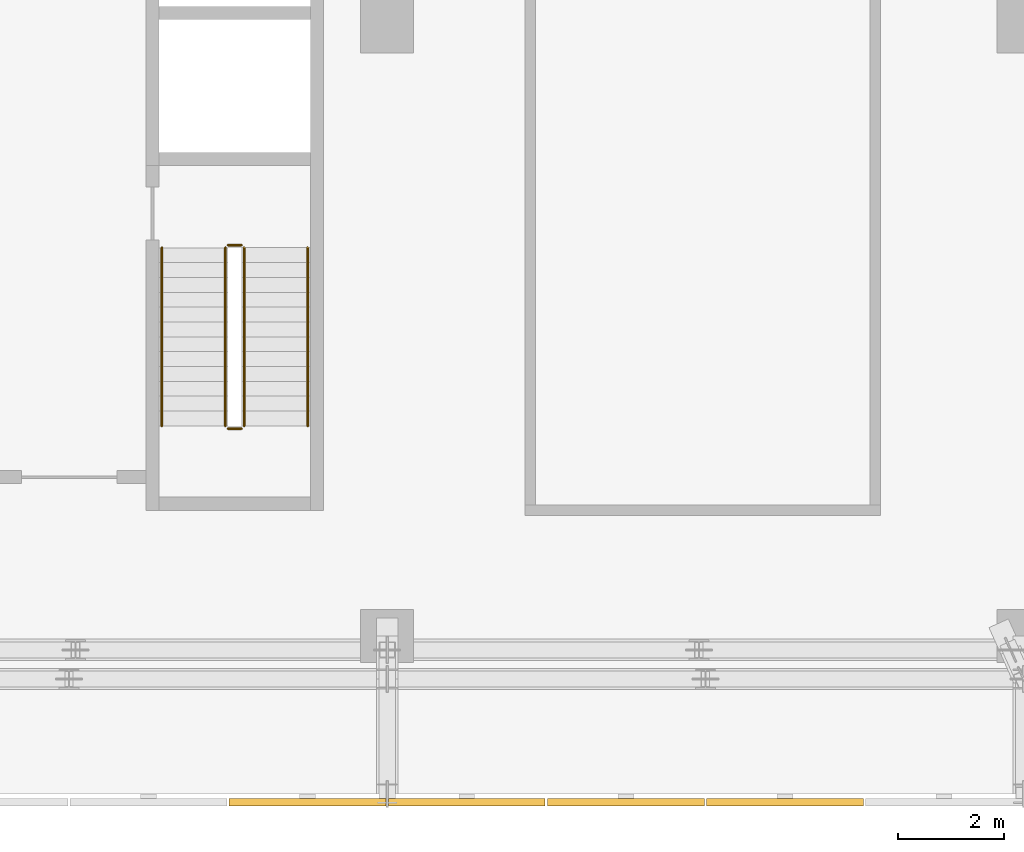
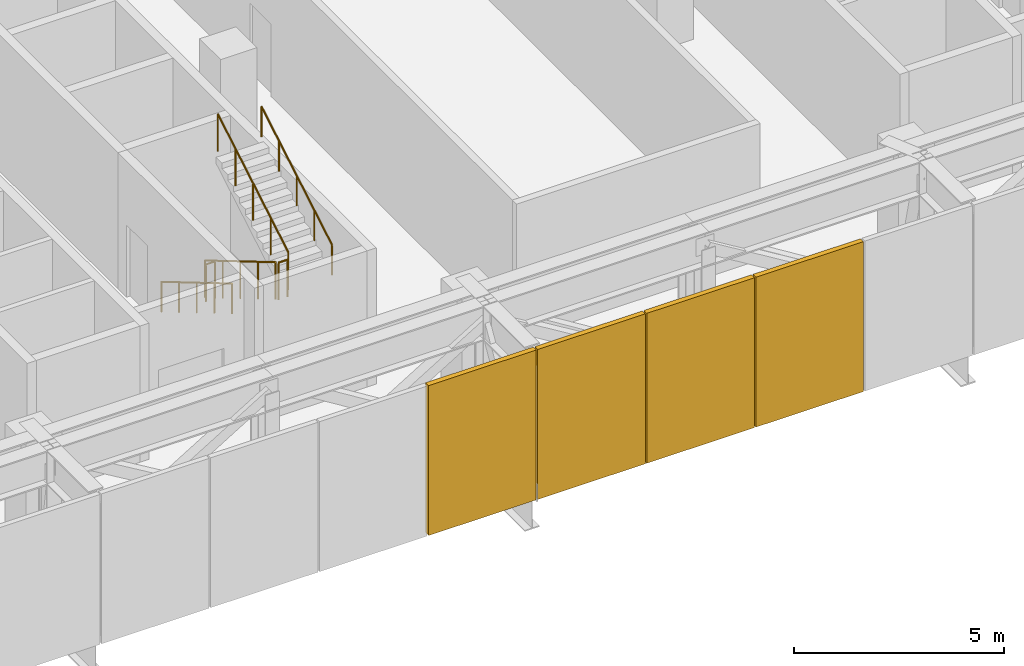
# One storey, part 26 of 29: 6 railings, 4 coverings.
"""IFC4 building model written with IfcOpenShell, lengths in metres."""

from ifc_helpers import new_model, si_unit, direction, frame, origin, origin_2d, place, context, subcontext, project, spatial, rectangle, circle, extrude, material, type_object, element, save


model = new_model("IFC4")

# Units and contexts
model_context = context("Model", 3, precision=1e-05, world=origin(), true_north=direction((0.0, 1.0)))
body_context = subcontext(model_context, "Body", "Model", "MODEL_VIEW")
ifc_project = project(units=[si_unit("LENGTHUNIT", "METRE"), si_unit("AREAUNIT", "SQUARE_METRE"), si_unit("VOLUMEUNIT", "CUBIC_METRE"), si_unit("PLANEANGLEUNIT", "RADIAN"), si_unit("MASSUNIT", "GRAM", prefix="KILO")], contexts=[model_context])

# Site, building, storey
site_placement = place(None, origin())
site = spatial("IfcSite", under=ifc_project, at=site_placement, CompositionType="ELEMENT")
building_placement = place(site_placement, origin())
building = spatial("IfcBuilding", under=site, at=building_placement, Name="Mahtab Terrace Research Tower", CompositionType="ELEMENT")
storey_placement = place(building_placement, frame((0.0, 0.0, 259.0)))
storey = spatial("IfcBuildingStorey", under=building, at=storey_placement, Name="L63", CompositionType="ELEMENT", Elevation=259.0)

# Coverings
ifc_material_1 = material(Name="Natural anodised aluminium", Category="aluminium")
covering_type = type_object("IfcCoveringType", Name="Plant storey louvre bay", PredefinedType="CLADDING", material=ifc_material_1)
for number, where, z_axis, x_axis, name in (
    (1, (4.5, -14.633056640625, -0.39990234375), (0.0, 0.0, 1.0), (1.0, 0.0, 0.0), "Louvre bay L63 15"),
    (2, (7.5, -14.633056640625, -0.39990234375), (0.0, 0.0, 1.0), (1.0, 0.0, 0.0), "Louvre bay L63 16"),
    (3, (10.5, -14.633056640625, -0.39990234375), (0.0, 0.0, 1.0), (1.0, 0.0, 0.0), "Louvre bay L63 17"),
    (4, (13.5, -14.633056640625, -0.39990234375), (0.0, 0.0, 1.0), (1.0, 0.0, 0.0), "Louvre bay L63 18"),
):
    element("IfcCovering", number, at=place(storey_placement, frame(where, z_axis=z_axis, x_axis=x_axis)), inside=storey, type_object=covering_type, Name=name, PredefinedType="CLADDING", context=body_context, shape_type="SweptSolid", body=[
        extrude(rectangle(XDim=2.9599609375, YDim=0.139892578125, at=origin_2d()), origin(), (0.0, 0.0, 1.0), 4.360107421875),
    ])

# Railings
ifc_material_2 = material(Name="Stainless steel AISI 304", Category="steel")
railing_type_1 = type_object("IfcRailingType", Name="Stair guard 1100", PredefinedType="GUARDRAIL", material=ifc_material_2)
railing_1_placement = place(storey_placement, frame((2.949951171875, -4.175048828125, 0.165283203125)))
element("IfcRailing", 5, at=railing_1_placement, inside=storey, type_object=railing_type_1, Name="L63 ST2 stair guard 1", PredefinedType="GUARDRAIL", context=body_context, shape_type="SweptSolid", body=[
    extrude(circle(Radius=0.02392578125, at=origin_2d()), frame((0.0, 0.0, 1.076171875), z_axis=(0.0, -0.861011212953, 0.508585972249), x_axis=(1.0, 0.0, 0.0)), (0.0, 0.0, 1.0), 3.90234375),
    extrude(circle(Radius=0.02099609375, at=origin_2d()), origin(), (0.0, 0.0, 1.0), 1.052001953125),
    extrude(circle(Radius=0.02099609375, at=origin_2d()), frame((0.0, -0.83984375, 0.49609375)), (0.0, 0.0, 1.0), 1.052001953125),
    extrude(circle(Radius=0.02099609375, at=origin_2d()), frame((0.0, -1.679931640625, 0.9921875)), (0.0, 0.0, 1.0), 1.052001953125),
    extrude(circle(Radius=0.02099609375, at=origin_2d()), frame((0.0, -2.52001953125, 1.488525390625)), (0.0, 0.0, 1.0), 1.052001953125),
    extrude(circle(Radius=0.02099609375, at=origin_2d()), frame((0.0, -3.35986328125, 1.984619140625)), (0.0, 0.0, 1.0), 1.052001953125),
])
railing_2_placement = place(storey_placement, frame((3.0, -7.5849609375, 2.14990234375)))
element("IfcRailing", 6, at=railing_2_placement, inside=storey, type_object=railing_type_1, Name="L63 ST2 stair guard 2", PredefinedType="GUARDRAIL", context=body_context, shape_type="SweptSolid", body=[
    extrude(circle(Radius=0.02392578125, at=origin_2d()), frame((0.0, 0.0, 1.076171875), z_axis=(1.0, 0.0, 0.0), x_axis=(0.0, 1.0, 0.0)), (0.0, 0.0, 1.0), 0.25),
    extrude(circle(Radius=0.02099609375, at=origin_2d()), origin(), (0.0, 0.0, 1.0), 1.052001953125),
    extrude(circle(Radius=0.02099609375, at=origin_2d()), frame((0.25, 0.0, 0.0)), (0.0, 0.0, 1.0), 1.052001953125),
])
railing_3_placement = place(storey_placement, frame((3.300048828125, -7.534912109375, 2.3154296875)))
element("IfcRailing", 7, at=railing_3_placement, inside=storey, type_object=railing_type_1, Name="L63 ST2 stair guard 3", PredefinedType="GUARDRAIL", context=body_context, shape_type="SweptSolid", body=[
    extrude(circle(Radius=0.02392578125, at=origin_2d()), frame((0.0, 0.0, 1.076171875), z_axis=(0.0, 0.861011212953, 0.508585972249), x_axis=(-1.0, 0.0, 0.0)), (0.0, 0.0, 1.0), 3.90234375),
    extrude(circle(Radius=0.02099609375, at=origin_2d()), origin(), (0.0, 0.0, 1.0), 1.052001953125),
    extrude(circle(Radius=0.02099609375, at=origin_2d()), frame((0.0, 0.83984375, 0.49609375)), (0.0, 0.0, 1.0), 1.052001953125),
    extrude(circle(Radius=0.02099609375, at=origin_2d()), frame((0.0, 1.679931640625, 0.9921875)), (0.0, 0.0, 1.0), 1.052001953125),
    extrude(circle(Radius=0.02099609375, at=origin_2d()), frame((0.0, 2.52001953125, 1.488525390625)), (0.0, 0.0, 1.0), 1.052001953125),
    extrude(circle(Radius=0.02099609375, at=origin_2d()), frame((0.0, 3.35986328125, 1.984619140625)), (0.0, 0.0, 1.0), 1.052001953125),
])
railing_4_placement = place(storey_placement, frame((3.0, -4.125, 0.0)))
element("IfcRailing", 8, at=railing_4_placement, inside=storey, type_object=railing_type_1, Name="L63 ST2 stair guard 4", PredefinedType="GUARDRAIL", context=body_context, shape_type="SweptSolid", body=[
    extrude(circle(Radius=0.02392578125, at=origin_2d()), frame((0.0, 0.0, 1.076171875), z_axis=(1.0, 0.0, 0.0), x_axis=(0.0, 1.0, 0.0)), (0.0, 0.0, 1.0), 0.25),
    extrude(circle(Radius=0.02099609375, at=origin_2d()), origin(), (0.0, 0.0, 1.0), 1.052001953125),
    extrude(circle(Radius=0.02099609375, at=origin_2d()), frame((0.25, 0.0, 0.0)), (0.0, 0.0, 1.0), 1.052001953125),
])
railing_type_2 = type_object("IfcRailingType", Name="Stair handrail 900", PredefinedType="HANDRAIL", material=ifc_material_2)
railing_5_placement = place(storey_placement, frame((1.75, -4.175048828125, 0.165283203125)))
element("IfcRailing", 9, at=railing_5_placement, inside=storey, type_object=railing_type_2, Name="L63 ST2 stair handrail 1", PredefinedType="HANDRAIL", context=body_context, shape_type="SweptSolid", body=[
    extrude(circle(Radius=0.02392578125, at=origin_2d()), frame((0.0, 0.0, 0.8759765625), z_axis=(0.0, -0.861011212953, 0.508585972249), x_axis=(1.0, 0.0, 0.0)), (0.0, 0.0, 1.0), 3.90234375),
    extrude(circle(Radius=0.02099609375, at=origin_2d()), origin(), (0.0, 0.0, 1.0), 0.851806640625),
    extrude(circle(Radius=0.02099609375, at=origin_2d()), frame((0.0, -0.83984375, 0.49609375)), (0.0, 0.0, 1.0), 0.851806640625),
    extrude(circle(Radius=0.02099609375, at=origin_2d()), frame((0.0, -1.679931640625, 0.9921875)), (0.0, 0.0, 1.0), 0.851806640625),
    extrude(circle(Radius=0.02099609375, at=origin_2d()), frame((0.0, -2.52001953125, 1.488525390625)), (0.0, 0.0, 1.0), 0.851806640625),
    extrude(circle(Radius=0.02099609375, at=origin_2d()), frame((0.0, -3.35986328125, 1.984619140625)), (0.0, 0.0, 1.0), 0.851806640625),
])
railing_6_placement = place(storey_placement, frame((4.5, -7.534912109375, 2.3154296875)))
element("IfcRailing", 10, at=railing_6_placement, inside=storey, type_object=railing_type_2, Name="L63 ST2 stair handrail 2", PredefinedType="HANDRAIL", context=body_context, shape_type="SweptSolid", body=[
    extrude(circle(Radius=0.02392578125, at=origin_2d()), frame((0.0, 0.0, 0.8759765625), z_axis=(0.0, 0.861011212953, 0.508585972249), x_axis=(-1.0, 0.0, 0.0)), (0.0, 0.0, 1.0), 3.90234375),
    extrude(circle(Radius=0.02099609375, at=origin_2d()), origin(), (0.0, 0.0, 1.0), 0.851806640625),
    extrude(circle(Radius=0.02099609375, at=origin_2d()), frame((0.0, 0.83984375, 0.49609375)), (0.0, 0.0, 1.0), 0.851806640625),
    extrude(circle(Radius=0.02099609375, at=origin_2d()), frame((0.0, 1.679931640625, 0.9921875)), (0.0, 0.0, 1.0), 0.851806640625),
    extrude(circle(Radius=0.02099609375, at=origin_2d()), frame((0.0, 2.52001953125, 1.488525390625)), (0.0, 0.0, 1.0), 0.851806640625),
    extrude(circle(Radius=0.02099609375, at=origin_2d()), frame((0.0, 3.35986328125, 1.984619140625)), (0.0, 0.0, 1.0), 0.851806640625),
])

save(model, "model.ifc")
